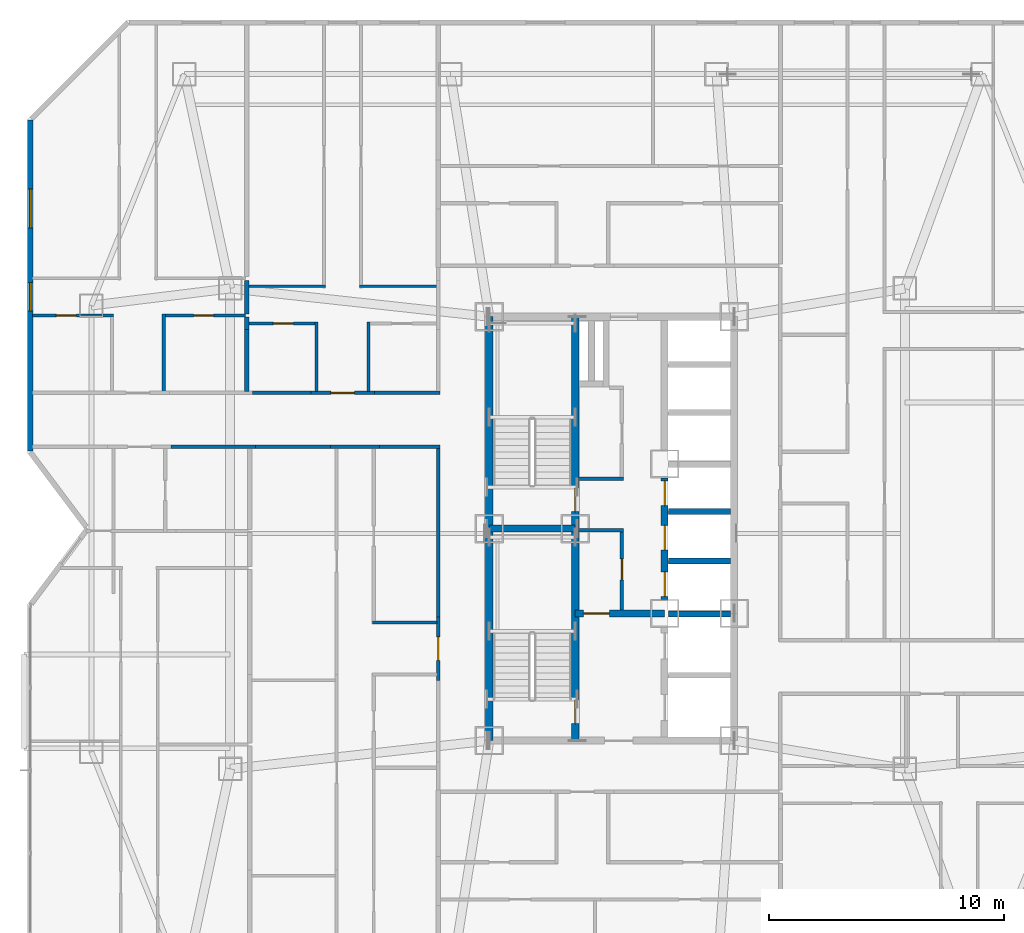
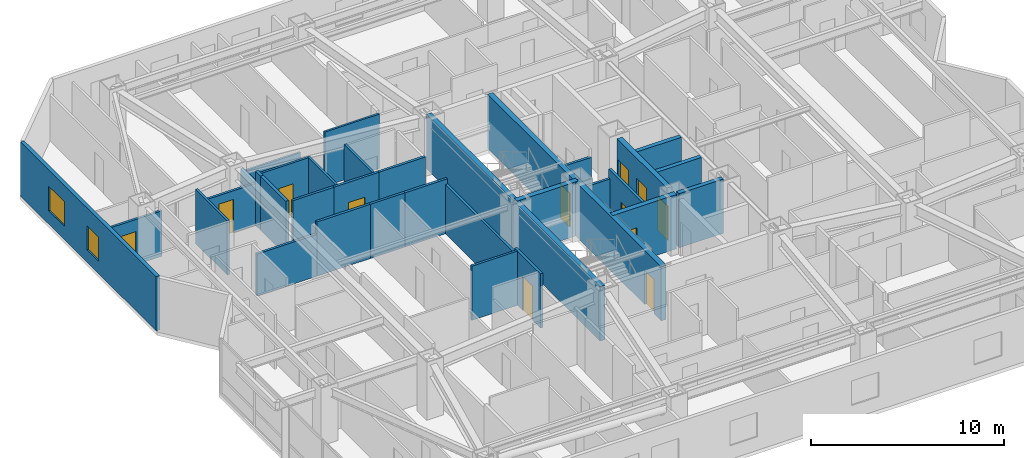
# One storey, part 13 of 18: 35 walls, 12 doors, 2 windows, 14 openings.
"""IFC4 building model written with IfcOpenShell, lengths in metres."""

from ifc_helpers import new_model, si_unit, direction, frame, frame_2d, origin, place, context, subcontext, project, spatial, rectangle, extrude, material, layer, layer_set, type_object, element, fill, save


model = new_model("IFC4")

# Units and contexts
model_context = context("Model", 3, precision=1e-05, world=origin(), true_north=direction((0.0, 1.0)))
body_context = subcontext(model_context, "Body", "Model", "MODEL_VIEW")
ifc_project = project(units=[si_unit("LENGTHUNIT", "METRE"), si_unit("AREAUNIT", "SQUARE_METRE"), si_unit("VOLUMEUNIT", "CUBIC_METRE"), si_unit("PLANEANGLEUNIT", "RADIAN"), si_unit("MASSUNIT", "GRAM", prefix="KILO")], contexts=[model_context])

# Site, building, storey
site_placement = place(None, origin())
site = spatial("IfcSite", under=ifc_project, at=site_placement, CompositionType="ELEMENT")
building_placement = place(site_placement, origin())
building = spatial("IfcBuilding", under=site, at=building_placement, Name="Khamvora Tower", CompositionType="ELEMENT")
storey_placement = place(building_placement, frame((0.0, 0.0, 109.199951171875)))
storey = spatial("IfcBuildingStorey", under=building, at=storey_placement, Name="L27", CompositionType="ELEMENT", Elevation=109.199951171875)

# Walls
ifc_material_1 = material(Name="Concrete C50/60", Category="concrete")
ifc_layer_1 = layer(ifc_material_1, 0.300048828125)
ifc_layer_set_1 = layer_set([ifc_layer_1], Name="Concrete C50/60")
wall_type_1 = type_object("IfcWallType", Name="WAL-CORE-300", PredefinedType="SHEAR", material=ifc_layer_set_1)
for number, where, z_axis, x_axis, name in (
    (1, (29.0, 19.0, 0.0), (0.0, 0.0, 1.0), (0.0, 1.0, 0.0), "L27 central core west south wall"),
    (2, (29.0, 28.0, 0.0), (0.0, 0.0, 1.0), (0.0, 1.0, 0.0), "L27 central core west north wall"),
):
    element("IfcWall", number, at=place(storey_placement, frame(where, z_axis=z_axis, x_axis=x_axis)), inside=storey, type_object=wall_type_1, Name=name, PredefinedType="SHEAR", context=body_context, shape_type="SweptSolid", body=[
        extrude(rectangle(XDim=9.0, YDim=0.300048828125, at=frame_2d((4.5, 0.0))), origin(), (0.0, 0.0, 1.0), 3.429931640625),
    ])

# Wall, opening, door
wall_1_placement = place(storey_placement, frame((32.64990234375, 19.0, 0.0), z_axis=(0.0, 0.0, 1.0), x_axis=(0.0, 1.0, 0.0)))
wall_1 = element("IfcWall", 3, at=wall_1_placement, inside=storey, type_object=wall_type_1, Name="L27 central core stair south spine wall", PredefinedType="SHEAR", context=body_context, shape_type="SweptSolid", body=[
    extrude(rectangle(XDim=9.0, YDim=0.300048828125, at=frame_2d((4.5, 0.0))), origin(), (0.0, 0.0, 1.0), 3.429931640625),
])
opening_1_placement = place(wall_1_placement, frame((0.719970703125, 0.0, 0.0)))
opening_1 = element("IfcOpeningElement", 4, at=opening_1_placement, cuts=wall_1, Name="Opening D-ST1", PredefinedType="OPENING", context=body_context, shape_type="SweptSolid", body=[
    extrude(rectangle(XDim=1.0, YDim=2.14990234375, at=frame_2d((0.5, 1.074951171875))), frame((0.0, 0.159912109375, 0.0), z_axis=(0.0, -1.0, 0.0), x_axis=(1.0, 0.0, 0.0)), (0.0, 0.0, 1.0), 0.320068359375),
])
ifc_material_2 = material(Name="Powder-Coated Steel and Hardwood Leaf", Category="steel")
door_type_1 = type_object("IfcDoorType", Name="DOR-STAIR-1000", OperationType="NOTDEFINED", PredefinedType="DOOR", material=ifc_material_2)
door_1_placement = place(opening_1_placement, origin())
door_1 = element("IfcDoor", 5, at=door_1_placement, inside=storey, type_object=door_type_1, Name="L27 exit stair ST-01 fire door", OperationType="SINGLE_SWING_RIGHT", OverallHeight=2.14990234375, OverallWidth=1.0, PredefinedType="DOOR", context=body_context, shape_type="SweptSolid", body=[
    extrude(rectangle(XDim=1.0, YDim=2.14990234375, at=frame_2d((0.5, 1.074951171875))), frame((0.0, 0.02490234375, 0.0), z_axis=(0.0, -1.0, 0.0), x_axis=(1.0, 0.0, 0.0)), (0.0, 0.0, 1.0), 0.050048828125),
])
fill(opening_1, door_1)

wall_2_placement = place(storey_placement, frame((32.64990234375, 28.0, 0.0), z_axis=(0.0, 0.0, 1.0), x_axis=(0.0, 1.0, 0.0)))
wall_2 = element("IfcWall", 6, at=wall_2_placement, inside=storey, type_object=wall_type_1, Name="L27 central core stair north spine wall", PredefinedType="SHEAR", context=body_context, shape_type="SweptSolid", body=[
    extrude(rectangle(XDim=9.0, YDim=0.300048828125, at=frame_2d((4.5, 0.0))), origin(), (0.0, 0.0, 1.0), 3.429931640625),
])
opening_2_placement = place(wall_2_placement, frame((0.719970703125, 0.0, 0.0)))
opening_2 = element("IfcOpeningElement", 7, at=opening_2_placement, cuts=wall_2, Name="Opening D-ST1", PredefinedType="OPENING", context=body_context, shape_type="SweptSolid", body=[
    extrude(rectangle(XDim=1.0, YDim=2.14990234375, at=frame_2d((0.5, 1.074951171875))), frame((0.0, 0.159912109375, 0.0), z_axis=(0.0, -1.0, 0.0), x_axis=(1.0, 0.0, 0.0)), (0.0, 0.0, 1.0), 0.320068359375),
])
door_2_placement = place(opening_2_placement, origin())
door_2 = element("IfcDoor", 8, at=door_2_placement, inside=storey, type_object=door_type_1, Name="L27 exit stair ST-02 fire door", OperationType="SINGLE_SWING_RIGHT", OverallHeight=2.14990234375, OverallWidth=1.0, PredefinedType="DOOR", context=body_context, shape_type="SweptSolid", body=[
    extrude(rectangle(XDim=1.0, YDim=2.14990234375, at=frame_2d((0.5, 1.074951171875))), frame((0.0, 0.02490234375, 0.0), z_axis=(0.0, -1.0, 0.0), x_axis=(1.0, 0.0, 0.0)), (0.0, 0.0, 1.0), 0.050048828125),
])
fill(opening_2, door_2)

# Wall
wall_3_placement = place(storey_placement, frame((29.0, 28.0, 0.0), z_axis=(0.0, 0.0, 1.0), x_axis=(1.0, 0.0, 0.0)))
element("IfcWall", 9, at=wall_3_placement, inside=storey, type_object=wall_type_1, Name="L27 central core stair cross wall", PredefinedType="SHEAR", context=body_context, shape_type="SweptSolid", body=[
    extrude(rectangle(XDim=3.64990234375, YDim=0.300048828125, at=frame_2d((1.824951171875, 0.0))), origin(), (0.0, 0.0, 1.0), 3.429931640625),
])

# Wall, opening, door
wall_4_placement = place(storey_placement, frame((32.64990234375, 24.39990234375, 0.0), z_axis=(0.0, 0.0, 1.0), x_axis=(1.0, 0.0, 0.0)))
wall_4 = element("IfcWall", 10, at=wall_4_placement, inside=storey, type_object=wall_type_1, Name="L27 central core firefighting lobby north wall", PredefinedType="SHEAR", context=body_context, shape_type="SweptSolid", body=[
    extrude(rectangle(XDim=3.800048828125, YDim=0.300048828125, at=frame_2d((1.89990234375, 0.0))), origin(), (0.0, 0.0, 1.0), 3.429931640625),
])
opening_3_placement = place(wall_4_placement, frame((0.35009765625, 0.0, 0.0)))
opening_3 = element("IfcOpeningElement", 11, at=opening_3_placement, cuts=wall_4, Name="Opening D-FF1", PredefinedType="OPENING", context=body_context, shape_type="SweptSolid", body=[
    extrude(rectangle(XDim=1.10009765625, YDim=2.14990234375, at=frame_2d((0.550048828125, 1.074951171875))), frame((0.0, 0.159912109375, 0.0), z_axis=(0.0, -1.0, 0.0), x_axis=(1.0, 0.0, 0.0)), (0.0, 0.0, 1.0), 0.320068359375),
])
door_type_2 = type_object("IfcDoorType", Name="DOR-FFLOB-1100", OperationType="NOTDEFINED", PredefinedType="DOOR", material=ifc_material_2)
door_3_placement = place(opening_3_placement, origin())
door_3 = element("IfcDoor", 12, at=door_3_placement, inside=storey, type_object=door_type_2, Name="L27 firefighting lobby smoke-seal fire door", OperationType="SINGLE_SWING_RIGHT", OverallHeight=2.14990234375, OverallWidth=1.10009765625, PredefinedType="DOOR", context=body_context, shape_type="SweptSolid", body=[
    extrude(rectangle(XDim=1.10009765625, YDim=2.14990234375, at=frame_2d((0.550048828125, 1.074951171875))), frame((0.0, 0.02490234375, 0.0), z_axis=(0.0, -1.0, 0.0), x_axis=(1.0, 0.0, 0.0)), (0.0, 0.0, 1.0), 0.050048828125),
])
fill(opening_3, door_3)

# Wall, openings, doors
wall_5_placement = place(storey_placement, frame((36.449951171875, 25.0, 0.0), z_axis=(0.0, 0.0, 1.0), x_axis=(0.0, 1.0, 0.0)))
wall_5 = element("IfcWall", 13, at=wall_5_placement, inside=storey, type_object=wall_type_1, Name="L27 central core lift bank central wall", PredefinedType="SHEAR", context=body_context, shape_type="SweptSolid", body=[
    extrude(rectangle(XDim=5.14990234375, YDim=0.300048828125, at=frame_2d((2.574951171875, 0.0))), origin(), (0.0, 0.0, 1.0), 3.429931640625),
])
opening_4_placement = place(wall_5_placement, frame((0.1201171875, 0.0, 0.0)))
opening_4 = element("IfcOpeningElement", 14, at=opening_4_placement, cuts=wall_5, Name="Opening LD-PL", PredefinedType="OPENING", context=body_context, shape_type="SweptSolid", body=[
    extrude(rectangle(XDim=1.050048828125, YDim=2.14990234375, at=frame_2d((0.52490234375, 1.074951171875))), frame((0.0, 0.159912109375, 0.0), z_axis=(0.0, -1.0, 0.0), x_axis=(1.0, 0.0, 0.0)), (0.0, 0.0, 1.0), 0.320068359375),
])
opening_5_placement = place(wall_5_placement, frame((2.094970703125, 0.0, 0.0)))
opening_5 = element("IfcOpeningElement", 15, at=opening_5_placement, cuts=wall_5, Name="Opening LD-PL", PredefinedType="OPENING", context=body_context, shape_type="SweptSolid", body=[
    extrude(rectangle(XDim=1.050048828125, YDim=2.14990234375, at=frame_2d((0.52490234375, 1.074951171875))), frame((0.0, 0.159912109375, 0.0), z_axis=(0.0, -1.0, 0.0), x_axis=(1.0, 0.0, 0.0)), (0.0, 0.0, 1.0), 0.320068359375),
])
opening_6_placement = place(wall_5_placement, frame((3.97998046875, 0.0, 0.0)))
opening_6 = element("IfcOpeningElement", 16, at=opening_6_placement, cuts=wall_5, Name="Opening LD-PL", PredefinedType="OPENING", context=body_context, shape_type="SweptSolid", body=[
    extrude(rectangle(XDim=1.050048828125, YDim=2.14990234375, at=frame_2d((0.52490234375, 1.074951171875))), frame((0.0, 0.159912109375, 0.0), z_axis=(0.0, -1.0, 0.0), x_axis=(1.0, 0.0, 0.0)), (0.0, 0.0, 1.0), 0.320068359375),
])
door_type_3 = type_object("IfcDoorType", Name="DOR-LIFT-1050", OperationType="SLIDING_TO_LEFT", PredefinedType="DOOR", material=ifc_material_2)
door_4_placement = place(opening_4_placement, origin())
door_4 = element("IfcDoor", 17, at=door_4_placement, inside=storey, type_object=door_type_3, Name="L27 lift landing sliding door PL-01", OperationType="SLIDING_TO_LEFT", OverallHeight=2.14990234375, OverallWidth=1.050048828125, PredefinedType="DOOR", context=body_context, shape_type="SweptSolid", body=[
    extrude(rectangle(XDim=1.050048828125, YDim=2.14990234375, at=frame_2d((0.52490234375, 1.074951171875))), frame((0.0, 0.02490234375, 0.0), z_axis=(0.0, -1.0, 0.0), x_axis=(1.0, 0.0, 0.0)), (0.0, 0.0, 1.0), 0.050048828125),
])
fill(opening_4, door_4)
door_5_placement = place(opening_5_placement, origin())
door_5 = element("IfcDoor", 18, at=door_5_placement, inside=storey, type_object=door_type_3, Name="L27 lift landing sliding door PL-02", OperationType="SLIDING_TO_LEFT", OverallHeight=2.14990234375, OverallWidth=1.050048828125, PredefinedType="DOOR", context=body_context, shape_type="SweptSolid", body=[
    extrude(rectangle(XDim=1.050048828125, YDim=2.14990234375, at=frame_2d((0.52490234375, 1.074951171875))), frame((0.0, 0.02490234375, 0.0), z_axis=(0.0, -1.0, 0.0), x_axis=(1.0, 0.0, 0.0)), (0.0, 0.0, 1.0), 0.050048828125),
])
fill(opening_5, door_5)
door_6_placement = place(opening_6_placement, origin())
door_6 = element("IfcDoor", 19, at=door_6_placement, inside=storey, type_object=door_type_3, Name="L27 lift landing sliding door PL-03", OperationType="SLIDING_TO_LEFT", OverallHeight=2.14990234375, OverallWidth=1.050048828125, PredefinedType="DOOR", context=body_context, shape_type="SweptSolid", body=[
    extrude(rectangle(XDim=1.050048828125, YDim=2.14990234375, at=frame_2d((0.52490234375, 1.074951171875))), frame((0.0, 0.02490234375, 0.0), z_axis=(0.0, -1.0, 0.0), x_axis=(1.0, 0.0, 0.0)), (0.0, 0.0, 1.0), 0.050048828125),
])
fill(opening_6, door_6)

# Wall
ifc_material_3 = material(Name="Fire-Rated Drywall and Steel Stud", Category="steel")
ifc_layer_2 = layer(ifc_material_3, 0.14990234375)
ifc_layer_set_2 = layer_set([ifc_layer_2], Name="Fire-Rated Drywall and Steel Stud")
wall_type_2 = type_object("IfcWallType", Name="WAL-CORR-150", PredefinedType="STANDARD", material=ifc_layer_set_2)
wall_6_placement = place(storey_placement, frame((32.7939453125, 30.114990234375, 0.0), z_axis=(0.0, 0.0, 1.0), x_axis=(1.0, 0.0, 0.0)))
element("IfcWall", 20, at=wall_6_placement, inside=storey, type_object=wall_type_2, Name="L27 interior partition wall 001", PredefinedType="STANDARD", context=body_context, shape_type="SweptSolid", body=[
    extrude(rectangle(XDim=1.906005859375, YDim=0.14990234375, at=frame_2d((0.953125, 0.0))), origin(), (0.0, 0.0, 1.0), 2.886962890625),
])

# Wall, opening, door
wall_7_placement = place(storey_placement, frame((34.635009765625, 24.5439453125, 0.0), z_axis=(0.0, 0.0, 1.0), x_axis=(0.0, 1.0, 0.0)))
wall_7 = element("IfcWall", 21, at=wall_7_placement, inside=storey, type_object=wall_type_2, Name="L27 interior partition wall 004", PredefinedType="STANDARD", context=body_context, shape_type="SweptSolid", body=[
    extrude(rectangle(XDim=3.4560546875, YDim=0.14990234375, at=frame_2d((1.72802734375, 0.0))), origin(), (0.0, 0.0, 1.0), 3.429931640625),
])
opening_7_placement = place(wall_7_placement, frame((1.278076171875, 0.0, 0.0)))
opening_7 = element("IfcOpeningElement", 22, at=opening_7_placement, cuts=wall_7, Name="Opening D-RM1", PredefinedType="OPENING", context=body_context, shape_type="SweptSolid", body=[
    extrude(rectangle(XDim=0.89990234375, YDim=2.10009765625, at=frame_2d((0.449951171875, 1.050048828125))), frame((0.0, 0.0849609375, 0.0), z_axis=(0.0, -1.0, 0.0), x_axis=(1.0, 0.0, 0.0)), (0.0, 0.0, 1.0), 0.169921875),
])
door_type_4 = type_object("IfcDoorType", Name="DOR-ROOM-900", OperationType="NOTDEFINED", PredefinedType="DOOR", material=ifc_material_2)
door_7_placement = place(opening_7_placement, origin())
door_7 = element("IfcDoor", 23, at=door_7_placement, inside=storey, type_object=door_type_4, Name="L27 interior door PLL-CS2", OperationType="SINGLE_SWING_RIGHT", OverallHeight=2.10009765625, OverallWidth=0.89990234375, PredefinedType="DOOR", context=body_context, shape_type="SweptSolid", body=[
    extrude(rectangle(XDim=0.89990234375, YDim=2.10009765625, at=frame_2d((0.449951171875, 1.050048828125))), frame((0.0, 0.02490234375, 0.0), z_axis=(0.0, -1.0, 0.0), x_axis=(1.0, 0.0, 0.0)), (0.0, 0.0, 1.0), 0.050048828125),
])
fill(opening_7, door_7)

# Walls
wall_8_placement = place(storey_placement, frame((34.699951171875, 27.93505859375, 0.0), z_axis=(0.0, 0.0, 1.0), x_axis=(-1.0, 0.0, 0.0)))
element("IfcWall", 24, at=wall_8_placement, inside=storey, type_object=wall_type_2, Name="L27 interior partition wall 005", PredefinedType="STANDARD", context=body_context, shape_type="SweptSolid", body=[
    extrude(rectangle(XDim=1.906005859375, YDim=0.14990234375, at=frame_2d((0.953125, 0.0))), origin(), (0.0, 0.0, 1.0), 2.886962890625),
])
wall_9_placement = place(storey_placement, frame((19.080078125, 31.485107421875, 0.0), z_axis=(0.0, 0.0, 1.0), x_axis=(-1.0, 0.0, 0.0)))
element("IfcWall", 25, at=wall_9_placement, inside=storey, type_object=wall_type_2, Name="L27 interior partition wall 008", PredefinedType="STANDARD", context=body_context, shape_type="SweptSolid", body=[
    extrude(rectangle(XDim=3.593017578125, YDim=0.14990234375, at=frame_2d((1.79638671875, 0.0))), origin(), (0.0, 0.0, 1.0), 2.64697265625),
])

# Wall, opening, door
wall_10_placement = place(storey_placement, frame((26.8349609375, 21.56005859375, 0.0), z_axis=(0.0, 0.0, 1.0), x_axis=(0.0, 1.0, 0.0)))
wall_10 = element("IfcWall", 26, at=wall_10_placement, inside=storey, type_object=wall_type_2, Name="L27 interior partition wall 010", PredefinedType="STANDARD", context=body_context, shape_type="SweptSolid", body=[
    extrude(rectangle(XDim=2.697998046875, YDim=0.14990234375, at=frame_2d((1.34912109375, 0.0))), origin(), (0.0, 0.0, 1.0), 3.429931640625),
])
opening_8_placement = place(wall_10_placement, frame((0.84912109375, 0.0, 0.0)))
opening_8 = element("IfcOpeningElement", 27, at=opening_8_placement, cuts=wall_10, Name="Opening D-U1", PredefinedType="OPENING", context=body_context, shape_type="SweptSolid", body=[
    extrude(rectangle(XDim=1.0, YDim=2.14990234375, at=frame_2d((0.5, 1.074951171875))), frame((0.0, 0.0849609375, 0.0), z_axis=(0.0, -1.0, 0.0), x_axis=(1.0, 0.0, 0.0)), (0.0, 0.0, 1.0), 0.169921875),
])
door_type_5 = type_object("IfcDoorType", Name="DOR-UNIT-1000", OperationType="NOTDEFINED", PredefinedType="DOOR", material=ifc_material_2)
door_8_placement = place(opening_8_placement, origin())
door_8 = element("IfcDoor", 28, at=door_8_placement, inside=storey, type_object=door_type_5, Name="L27 interior door COR-27WA2H", OperationType="SINGLE_SWING_RIGHT", OverallHeight=2.14990234375, OverallWidth=1.0, PredefinedType="DOOR", context=body_context, shape_type="SweptSolid", body=[
    extrude(rectangle(XDim=1.0, YDim=2.14990234375, at=frame_2d((0.5, 1.074951171875))), frame((0.0, 0.02490234375, 0.0), z_axis=(0.0, -1.0, 0.0), x_axis=(1.0, 0.0, 0.0)), (0.0, 0.0, 1.0), 0.050048828125),
])
fill(opening_8, door_8)

# Walls
wall_11_placement = place(storey_placement, frame((24.346923828125, 31.485107421875, 0.0), z_axis=(0.0, 0.0, 1.0), x_axis=(-1.0, 0.0, 0.0)))
element("IfcWall", 29, at=wall_11_placement, inside=storey, type_object=wall_type_2, Name="L27 interior partition wall 011", PredefinedType="STANDARD", context=body_context, shape_type="SweptSolid", body=[
    extrude(rectangle(XDim=2.078857421875, YDim=0.14990234375, at=frame_2d((1.03955078125, 0.0))), origin(), (0.0, 0.0, 1.0), 3.429931640625),
])
wall_12_placement = place(storey_placement, frame((26.8349609375, 24.258056640625, 0.0), z_axis=(0.0, 0.0, 1.0), x_axis=(0.0, 1.0, 0.0)))
element("IfcWall", 30, at=wall_12_placement, inside=storey, type_object=wall_type_2, Name="L27 interior partition wall 013", PredefinedType="STANDARD", context=body_context, shape_type="SweptSolid", body=[
    extrude(rectangle(XDim=7.2919921875, YDim=0.14990234375, at=frame_2d((3.64599609375, 0.0))), origin(), (0.0, 0.0, 1.0), 3.10693359375),
])
wall_13_placement = place(storey_placement, frame((26.89794921875, 31.485107421875, 0.0), z_axis=(0.0, 0.0, 1.0), x_axis=(-1.0, 0.0, 0.0)))
element("IfcWall", 31, at=wall_13_placement, inside=storey, type_object=wall_type_2, Name="L27 interior partition wall 014", PredefinedType="STANDARD", context=body_context, shape_type="SweptSolid", body=[
    extrude(rectangle(XDim=2.551025390625, YDim=0.14990234375, at=frame_2d((1.275390625, 0.0))), origin(), (0.0, 0.0, 1.0), 3.429931640625),
])
wall_14_placement = place(storey_placement, frame((22.26806640625, 31.485107421875, 0.0), z_axis=(0.0, 0.0, 1.0), x_axis=(-1.0, 0.0, 0.0)))
element("IfcWall", 32, at=wall_14_placement, inside=storey, type_object=wall_type_2, Name="L27 interior partition wall 015", PredefinedType="STANDARD", context=body_context, shape_type="SweptSolid", body=[
    extrude(rectangle(XDim=3.18798828125, YDim=0.14990234375, at=frame_2d((1.593994140625, 0.0))), origin(), (0.0, 0.0, 1.0), 3.429931640625),
])

# Wall, opening, door
wall_15_placement = place(storey_placement, frame((21.4208984375, 33.764892578125, 0.0), z_axis=(0.0, 0.0, 1.0), x_axis=(1.0, 0.0, 0.0)))
wall_15 = element("IfcWall", 33, at=wall_15_placement, inside=storey, type_object=wall_type_2, Name="L27 interior partition wall 020", PredefinedType="STANDARD", context=body_context, shape_type="SweptSolid", body=[
    extrude(rectangle(XDim=2.697998046875, YDim=0.14990234375, at=frame_2d((1.34912109375, 0.0))), origin(), (0.0, 0.0, 1.0), 3.429931640625),
])
opening_9_placement = place(wall_15_placement, frame((0.84912109375, 0.0, 0.0)))
opening_9 = element("IfcOpeningElement", 34, at=opening_9_placement, cuts=wall_15, Name="Opening D-U1", PredefinedType="OPENING", context=body_context, shape_type="SweptSolid", body=[
    extrude(rectangle(XDim=1.0, YDim=2.14990234375, at=frame_2d((0.5, 1.074951171875))), frame((0.0, 0.0849609375, 0.0), z_axis=(0.0, -1.0, 0.0), x_axis=(1.0, 0.0, 0.0)), (0.0, 0.0, 1.0), 0.169921875),
])
door_9_placement = place(opening_9_placement, origin())
door_9 = element("IfcDoor", 35, at=door_9_placement, inside=storey, type_object=door_type_5, Name="L27 interior door COR-27WCH", OperationType="SINGLE_SWING_RIGHT", OverallHeight=2.14990234375, OverallWidth=1.0, PredefinedType="DOOR", context=body_context, shape_type="SweptSolid", body=[
    extrude(rectangle(XDim=1.0, YDim=2.14990234375, at=frame_2d((0.5, 1.074951171875))), frame((0.0, 0.02490234375, 0.0), z_axis=(0.0, -1.0, 0.0), x_axis=(1.0, 0.0, 0.0)), (0.0, 0.0, 1.0), 0.050048828125),
])
fill(opening_9, door_9)

# Walls
wall_16_placement = place(storey_placement, frame((18.9541015625, 33.764892578125, 0.0), z_axis=(0.0, 0.0, 1.0), x_axis=(1.0, 0.0, 0.0)))
element("IfcWall", 36, at=wall_16_placement, inside=storey, type_object=wall_type_2, Name="L27 interior partition wall 021", PredefinedType="STANDARD", context=body_context, shape_type="SweptSolid", body=[
    extrude(rectangle(XDim=2.466796875, YDim=0.14990234375, at=frame_2d((1.2333984375, 0.0))), origin(), (0.0, 0.0, 1.0), 3.429931640625),
])
wall_17_placement = place(storey_placement, frame((24.118896484375, 33.764892578125, 0.0), z_axis=(0.0, 0.0, 1.0), x_axis=(1.0, 0.0, 0.0)))
element("IfcWall", 37, at=wall_17_placement, inside=storey, type_object=wall_type_2, Name="L27 interior partition wall 023", PredefinedType="STANDARD", context=body_context, shape_type="SweptSolid", body=[
    extrude(rectangle(XDim=2.779052734375, YDim=0.14990234375, at=frame_2d((1.3896484375, 0.0))), origin(), (0.0, 0.0, 1.0), 3.429931640625),
])
ifc_material_4 = material(Name="Acoustic Double-Stud Fire Wall", Category="gypsum")
ifc_layer_3 = layer(ifc_material_4, 0.179931640625)
ifc_layer_set_3 = layer_set([ifc_layer_3], Name="Acoustic Double-Stud Fire Wall")
wall_type_3 = type_object("IfcWallType", Name="WAL-CORR-180", PredefinedType="STANDARD", material=ifc_layer_set_3)
wall_18_placement = place(storey_placement, frame((18.705078125, 38.54296875, 0.0), z_axis=(0.0, 0.0, 1.0), x_axis=(0.0, -1.0, 0.0)))
element("IfcWall", 38, at=wall_18_placement, inside=storey, type_object=wall_type_3, Name="L27 interior partition wall 085", PredefinedType="STANDARD", context=body_context, shape_type="SweptSolid", body=[
    extrude(rectangle(XDim=1.424072265625, YDim=0.179931640625, at=frame_2d((0.7119140625, 0.0))), origin(), (0.0, 0.0, 1.0), 2.64697265625),
])
wall_19_placement = place(storey_placement, frame((18.705078125, 36.989013671875, 0.0), z_axis=(0.0, 0.0, 1.0), x_axis=(0.0, -1.0, 0.0)))
element("IfcWall", 39, at=wall_19_placement, inside=storey, type_object=wall_type_3, Name="L27 interior partition wall 086", PredefinedType="STANDARD", context=body_context, shape_type="SweptSolid", body=[
    extrude(rectangle(XDim=0.52392578125, YDim=0.179931640625, at=frame_2d((0.261962890625, 0.0))), origin(), (0.0, 0.0, 1.0), 3.429931640625),
])
wall_20_placement = place(storey_placement, frame((18.705078125, 36.465087890625, 0.0), z_axis=(0.0, 0.0, 1.0), x_axis=(0.0, -1.0, 0.0)))
element("IfcWall", 40, at=wall_20_placement, inside=storey, type_object=wall_type_3, Name="L27 interior partition wall 087", PredefinedType="STANDARD", context=body_context, shape_type="SweptSolid", body=[
    extrude(rectangle(XDim=2.633056640625, YDim=0.179931640625, at=frame_2d((1.31640625, 0.0))), origin(), (0.0, 0.0, 1.0), 3.429931640625),
])

# Wall, openings, windows
ifc_material_5 = material(Name="Precast concrete C40/50", Category="concrete")
ifc_layer_4 = layer(ifc_material_5, 0.219970703125)
ifc_layer_set_4 = layer_set([ifc_layer_4], Name="Precast concrete C40/50")
wall_type_4 = type_object("IfcWallType", Name="WAL-EXT-220", PredefinedType="STANDARD", material=ifc_layer_set_4)
wall_21_placement = place(storey_placement, frame((9.510009765625, 31.29296875, 0.0), z_axis=(0.0, 0.0, 1.0), x_axis=(0.0, 1.0, 0.0)))
wall_21 = element("IfcWall", 41, at=wall_21_placement, inside=storey, type_object=wall_type_4, Name="L27 exterior facade wall 05.1", PredefinedType="STANDARD", context=body_context, shape_type="SweptSolid", body=[
    extrude(rectangle(XDim=14.06103515625, YDim=0.219970703125, at=frame_2d((7.030517578125, 0.0))), origin(), (0.0, 0.0, 1.0), 3.429931640625),
])
opening_10_placement = place(wall_21_placement, frame((5.950927734375, 0.0, 0.800048828125)))
opening_10 = element("IfcOpeningElement", 42, at=opening_10_placement, cuts=wall_21, Name="Opening WN-03", PredefinedType="OPENING", context=body_context, shape_type="SweptSolid", body=[
    extrude(rectangle(XDim=1.199951171875, YDim=1.5, at=frame_2d((0.60009765625, 0.75))), frame((0.0, 0.119873046875, 0.0), z_axis=(0.0, -1.0, 0.0), x_axis=(1.0, 0.0, 0.0)), (0.0, 0.0, 1.0), 0.239990234375),
])
opening_11_placement = place(wall_21_placement, frame((9.48291015625, 0.0, 0.85009765625)))
opening_11 = element("IfcOpeningElement", 43, at=opening_11_placement, cuts=wall_21, Name="Opening WN-06", PredefinedType="OPENING", context=body_context, shape_type="SweptSolid", body=[
    extrude(rectangle(XDim=1.64990234375, YDim=1.550048828125, at=frame_2d((0.824951171875, 0.77490234375))), frame((0.0, 0.119873046875, 0.0), z_axis=(0.0, -1.0, 0.0), x_axis=(1.0, 0.0, 0.0)), (0.0, 0.0, 1.0), 0.239990234375),
])
ifc_material_6 = material(Name="Low-E Laminated Double Glazing", Category="glass")
window_type_1 = type_object("IfcWindowType", Name="WIN-VIS-1200x1500", PartitioningType="SINGLE_PANEL", PredefinedType="WINDOW", material=ifc_material_6)
window_1_placement = place(opening_10_placement, origin())
window_1 = element("IfcWindow", 44, at=window_1_placement, inside=storey, type_object=window_type_1, Name="L27 vision window 05.1.01", OverallHeight=1.5, OverallWidth=1.199951171875, PartitioningType="SINGLE_PANEL", PredefinedType="WINDOW", context=body_context, shape_type="SweptSolid", body=[
    extrude(rectangle(XDim=1.199951171875, YDim=1.5, at=frame_2d((0.60009765625, 0.75))), frame((0.0, 0.030029296875, 0.0), z_axis=(0.0, -1.0, 0.0), x_axis=(1.0, 0.0, 0.0)), (0.0, 0.0, 1.0), 0.06005859375),
])
fill(opening_10, window_1)
window_type_2 = type_object("IfcWindowType", Name="WIN-VIS-1650x1550", PartitioningType="SINGLE_PANEL", PredefinedType="WINDOW", material=ifc_material_6)
window_2_placement = place(opening_11_placement, origin())
window_2 = element("IfcWindow", 45, at=window_2_placement, inside=storey, type_object=window_type_2, Name="L27 vision window 05.1.02", OverallHeight=1.550048828125, OverallWidth=1.64990234375, PartitioningType="SINGLE_PANEL", PredefinedType="WINDOW", context=body_context, shape_type="SweptSolid", body=[
    extrude(rectangle(XDim=1.64990234375, YDim=1.550048828125, at=frame_2d((0.824951171875, 0.77490234375))), frame((0.0, 0.030029296875, 0.0), z_axis=(0.0, -1.0, 0.0), x_axis=(1.0, 0.0, 0.0)), (0.0, 0.0, 1.0), 0.06005859375),
])
fill(opening_11, window_2)

# Walls
ifc_material_7 = material(Name="Gypsum Plasterboard Partition", Category="gypsum")
ifc_layer_5 = layer(ifc_material_7, 0.1201171875)
ifc_layer_set_5 = layer_set([ifc_layer_5], Name="Gypsum Plasterboard Partition")
wall_type_5 = type_object("IfcWallType", Name="WAL-PART-120", PredefinedType="PARTITIONING", material=ifc_layer_set_5)
wall_22_placement = place(storey_placement, frame((18.787109375, 38.2939453125, 0.0), z_axis=(0.0, 0.0, 1.0), x_axis=(1.0, 0.0, 0.0)))
element("IfcWall", 46, at=wall_22_placement, inside=storey, type_object=wall_type_5, Name="L27 interior partition wall 093", PredefinedType="PARTITIONING", context=body_context, shape_type="SweptSolid", body=[
    extrude(rectangle(XDim=3.262939453125, YDim=0.1201171875, at=frame_2d((1.63134765625, 0.0))), origin(), (0.0, 0.0, 1.0), 2.64697265625),
])
wall_23_placement = place(storey_placement, frame((23.489990234375, 38.2939453125, 0.0), z_axis=(0.0, 0.0, 1.0), x_axis=(1.0, 0.0, 0.0)))
element("IfcWall", 47, at=wall_23_placement, inside=storey, type_object=wall_type_5, Name="L27 interior partition wall 096", PredefinedType="PARTITIONING", context=body_context, shape_type="SweptSolid", body=[
    extrude(rectangle(XDim=3.280029296875, YDim=0.1201171875, at=frame_2d((1.64013671875, 0.0))), origin(), (0.0, 0.0, 1.0), 3.429931640625),
])
ifc_material_8 = material(Name="Concrete C40/50", Category="concrete")
ifc_layer_6 = layer(ifc_material_8, 0.25)
ifc_layer_set_6 = layer_set([ifc_layer_6], Name="Concrete C40/50")
wall_type_6 = type_object("IfcWallType", Name="WAL-PODS-250", PredefinedType="SHEAR", material=ifc_layer_set_6)
for number, where, z_axis, x_axis, name in (
    (48, (36.60400390625, 24.375, 0.0), (0.0, 0.0, 1.0), (1.0, 0.0, 0.0), "L27 lift shaft divider wall FFL-02"),
    (49, (36.60400390625, 26.625, 0.0), (0.0, 0.0, 1.0), (1.0, 0.0, 0.0), "L27 lift shaft divider wall PL-01"),
    (50, (36.60400390625, 28.72509765625, 0.0), (0.0, 0.0, 1.0), (1.0, 0.0, 0.0), "L27 lift shaft divider wall PL-02"),
):
    element("IfcWall", number, at=place(storey_placement, frame(where, z_axis=z_axis, x_axis=x_axis)), inside=storey, type_object=wall_type_6, Name=name, PredefinedType="SHEAR", context=body_context, shape_type="SweptSolid", body=[
        extrude(rectangle(XDim=2.64208984375, YDim=0.25, at=frame_2d((1.321044921875, 0.0))), origin(), (0.0, 0.0, 1.0), 3.429931640625),
    ])
ifc_material_9 = material(Name="Moisture-Resistant Plasterboard Partition", Category="gypsum")
ifc_layer_7 = layer(ifc_material_9, 0.135009765625)
ifc_layer_set_7 = layer_set([ifc_layer_7], Name="Moisture-Resistant Plasterboard Partition")
wall_type_7 = type_object("IfcWallType", Name="WAL-WET-135", PredefinedType="PARTITIONING", material=ifc_layer_set_7)
wall_24_placement = place(storey_placement, frame((24.032958984375, 24.009033203125, 0.0), z_axis=(0.0, 0.0, 1.0), x_axis=(1.0, 0.0, 0.0)))
element("IfcWall", 51, at=wall_24_placement, inside=storey, type_object=wall_type_7, Name="L27 interior partition wall 071", PredefinedType="PARTITIONING", context=body_context, shape_type="SweptSolid", body=[
    extrude(rectangle(XDim=2.737060546875, YDim=0.135009765625, at=frame_2d((1.36865234375, 0.0))), origin(), (0.0, 0.0, 1.0), 3.429931640625),
])

# Wall, opening, door
wall_25_placement = place(storey_placement, frame((13.0400390625, 37.053955078125, 0.0), z_axis=(0.0, 0.0, 1.0), x_axis=(-1.0, 0.0, 0.0)))
wall_25 = element("IfcWall", 52, at=wall_25_placement, inside=storey, type_object=wall_type_7, Name="L27 interior partition wall 078", PredefinedType="PARTITIONING", context=body_context, shape_type="SweptSolid", body=[
    extrude(rectangle(XDim=3.427978515625, YDim=0.135009765625, at=frame_2d((1.7138671875, 0.0))), origin(), (0.0, 0.0, 1.0), 2.8759765625),
])
opening_12_placement = place(wall_25_placement, frame((1.572021484375, 0.0, 0.0)))
opening_12 = element("IfcOpeningElement", 53, at=opening_12_placement, cuts=wall_25, Name="Opening D-WC1", PredefinedType="OPENING", context=body_context, shape_type="SweptSolid", body=[
    extrude(rectangle(XDim=0.85009765625, YDim=2.10009765625, at=frame_2d((0.425048828125, 1.050048828125))), frame((0.0, 0.077392578125, 0.0), z_axis=(0.0, -1.0, 0.0), x_axis=(1.0, 0.0, 0.0)), (0.0, 0.0, 1.0), 0.155029296875),
])
door_type_6 = type_object("IfcDoorType", Name="DOR-WET-850", OperationType="NOTDEFINED", PredefinedType="DOOR", material=ifc_material_2)
door_10_placement = place(opening_12_placement, origin())
door_10 = element("IfcDoor", 54, at=door_10_placement, inside=storey, type_object=door_type_6, Name="L27 interior door 27WBH-27WBB", OperationType="SINGLE_SWING_RIGHT", OverallHeight=2.10009765625, OverallWidth=0.85009765625, PredefinedType="DOOR", context=body_context, shape_type="SweptSolid", body=[
    extrude(rectangle(XDim=0.85009765625, YDim=2.10009765625, at=frame_2d((0.425048828125, 1.050048828125))), frame((0.0, 0.02490234375, 0.0), z_axis=(0.0, -1.0, 0.0), x_axis=(1.0, 0.0, 0.0)), (0.0, 0.0, 1.0), 0.050048828125),
])
fill(opening_12, door_10)

wall_26_placement = place(storey_placement, frame((18.639892578125, 37.053955078125, 0.0), z_axis=(0.0, 0.0, 1.0), x_axis=(-1.0, 0.0, 0.0)))
wall_26 = element("IfcWall", 55, at=wall_26_placement, inside=storey, type_object=wall_type_7, Name="L27 interior partition wall 079", PredefinedType="PARTITIONING", context=body_context, shape_type="SweptSolid", body=[
    extrude(rectangle(XDim=3.52978515625, YDim=0.135009765625, at=frame_2d((1.764892578125, 0.0))), origin(), (0.0, 0.0, 1.0), 2.64697265625),
])
opening_13_placement = place(wall_26_placement, frame((1.340087890625, 0.0, 0.0)))
opening_13 = element("IfcOpeningElement", 56, at=opening_13_placement, cuts=wall_26, Name="Opening D-RM2", PredefinedType="OPENING", context=body_context, shape_type="SweptSolid", body=[
    extrude(rectangle(XDim=0.85009765625, YDim=2.10009765625, at=frame_2d((0.425048828125, 1.050048828125))), frame((0.0, 0.077392578125, 0.0), z_axis=(0.0, -1.0, 0.0), x_axis=(1.0, 0.0, 0.0)), (0.0, 0.0, 1.0), 0.155029296875),
])
door_type_7 = type_object("IfcDoorType", Name="DOR-ROOM-850", OperationType="NOTDEFINED", PredefinedType="DOOR", material=ifc_material_2)
door_11_placement = place(opening_13_placement, origin())
door_11 = element("IfcDoor", 57, at=door_11_placement, inside=storey, type_object=door_type_7, Name="L27 interior door 27WBH-27WBK", OperationType="SINGLE_SWING_RIGHT", OverallHeight=2.10009765625, OverallWidth=0.85009765625, PredefinedType="DOOR", context=body_context, shape_type="SweptSolid", body=[
    extrude(rectangle(XDim=0.85009765625, YDim=2.10009765625, at=frame_2d((0.425048828125, 1.050048828125))), frame((0.0, 0.02490234375, 0.0), z_axis=(0.0, -1.0, 0.0), x_axis=(1.0, 0.0, 0.0)), (0.0, 0.0, 1.0), 0.050048828125),
])
fill(opening_13, door_11)

# Walls
wall_27_placement = place(storey_placement, frame((15.175048828125, 37.118896484375, 0.0), z_axis=(0.0, 0.0, 1.0), x_axis=(0.0, -1.0, 0.0)))
element("IfcWall", 58, at=wall_27_placement, inside=storey, type_object=wall_type_7, Name="L27 interior partition wall 080", PredefinedType="PARTITIONING", context=body_context, shape_type="SweptSolid", body=[
    extrude(rectangle(XDim=3.286865234375, YDim=0.135009765625, at=frame_2d((1.6435546875, 0.0))), origin(), (0.0, 0.0, 1.0), 3.429931640625),
])
wall_28_placement = place(storey_placement, frame((21.669921875, 33.83203125, 0.0), z_axis=(0.0, 0.0, 1.0), x_axis=(0.0, 1.0, 0.0)))
element("IfcWall", 59, at=wall_28_placement, inside=storey, type_object=wall_type_7, Name="L27 interior partition wall 089", PredefinedType="PARTITIONING", context=body_context, shape_type="SweptSolid", body=[
    extrude(rectangle(XDim=2.947021484375, YDim=0.135009765625, at=frame_2d((1.4736328125, 0.0))), origin(), (0.0, 0.0, 1.0), 3.429931640625),
])

# Wall, opening, door
wall_29_placement = place(storey_placement, frame((21.735107421875, 36.714111328125, 0.0), z_axis=(0.0, 0.0, 1.0), x_axis=(-1.0, 0.0, 0.0)))
wall_29 = element("IfcWall", 60, at=wall_29_placement, inside=storey, type_object=wall_type_7, Name="L27 interior partition wall 090", PredefinedType="PARTITIONING", context=body_context, shape_type="SweptSolid", body=[
    extrude(rectangle(XDim=2.947998046875, YDim=0.135009765625, at=frame_2d((1.47412109375, 0.0))), origin(), (0.0, 0.0, 1.0), 3.429931640625),
])
opening_14_placement = place(wall_29_placement, frame((1.049072265625, 0.0, 0.0)))
opening_14 = element("IfcOpeningElement", 61, at=opening_14_placement, cuts=wall_29, Name="Opening D-WC1", PredefinedType="OPENING", context=body_context, shape_type="SweptSolid", body=[
    extrude(rectangle(XDim=0.85009765625, YDim=2.10009765625, at=frame_2d((0.425048828125, 1.050048828125))), frame((0.0, 0.077392578125, 0.0), z_axis=(0.0, -1.0, 0.0), x_axis=(1.0, 0.0, 0.0)), (0.0, 0.0, 1.0), 0.155029296875),
])
door_12_placement = place(opening_14_placement, origin())
door_12 = element("IfcDoor", 62, at=door_12_placement, inside=storey, type_object=door_type_6, Name="L27 interior door 27WCH-27WCB", OperationType="SINGLE_SWING_LEFT", OverallHeight=2.10009765625, OverallWidth=0.85009765625, PredefinedType="DOOR", context=body_context, shape_type="SweptSolid", body=[
    extrude(rectangle(XDim=0.85009765625, YDim=2.10009765625, at=frame_2d((0.425048828125, 1.050048828125))), frame((0.0, 0.02490234375, 0.0), z_axis=(0.0, -1.0, 0.0), x_axis=(1.0, 0.0, 0.0)), (0.0, 0.0, 1.0), 0.050048828125),
])
fill(opening_14, door_12)

# Wall
wall_30_placement = place(storey_placement, frame((23.8701171875, 36.779052734375, 0.0), z_axis=(0.0, 0.0, 1.0), x_axis=(0.0, -1.0, 0.0)))
element("IfcWall", 63, at=wall_30_placement, inside=storey, type_object=wall_type_7, Name="L27 interior partition wall 092", PredefinedType="PARTITIONING", context=body_context, shape_type="SweptSolid", body=[
    extrude(rectangle(XDim=2.947021484375, YDim=0.135009765625, at=frame_2d((1.4736328125, 0.0))), origin(), (0.0, 0.0, 1.0), 3.429931640625),
])

save(model, "model.ifc")
